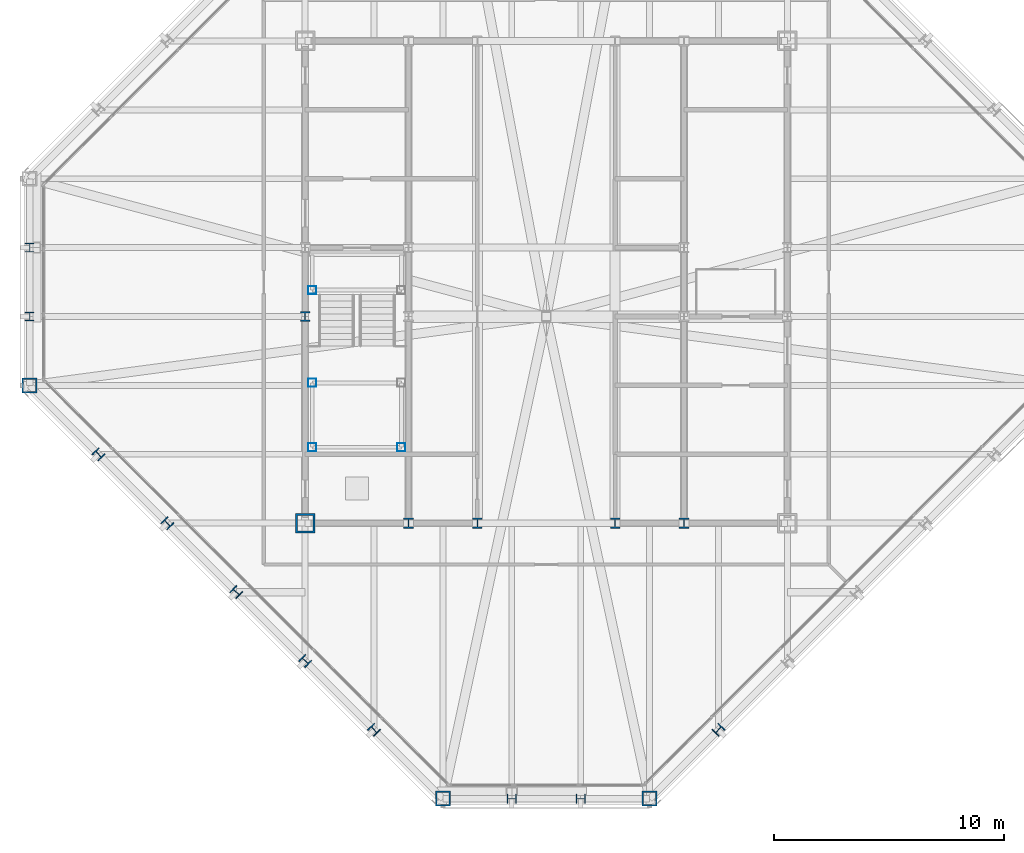
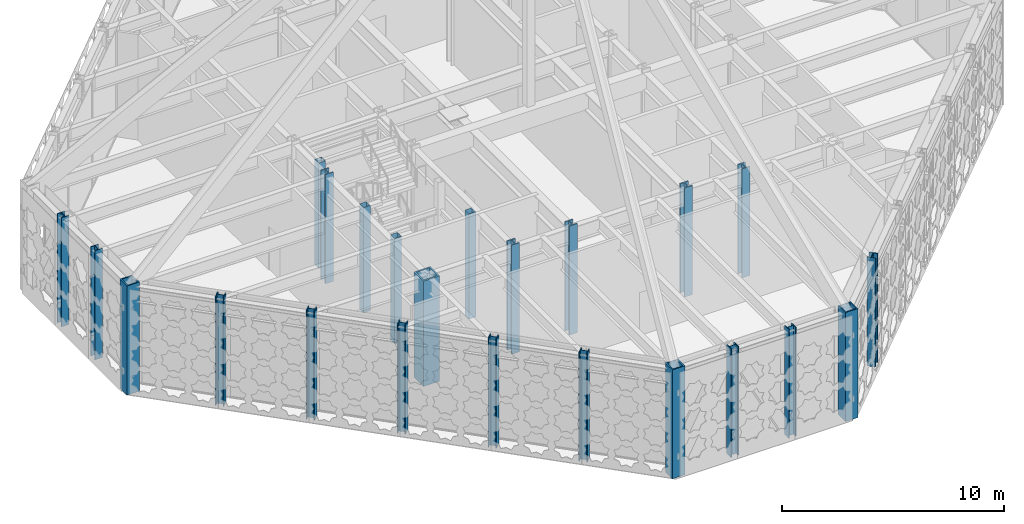
# One storey, part 1 of 30: 23 columns.
"""IFC4 building model written with IfcOpenShell, lengths in metres."""

from ifc_helpers import new_model, si_unit, direction, frame, origin, origin_2d, place, context, subcontext, project, spatial, hollow_rectangle, i_section, extrude, material, material_profile, profile_set, type_object, element, save


model = new_model("IFC4")

# Units and contexts
model_context = context("Model", 3, precision=1e-05, world=origin(), true_north=direction((0.0, 1.0)))
body_context = subcontext(model_context, "Body", "Model", "MODEL_VIEW")
ifc_project = project(units=[si_unit("LENGTHUNIT", "METRE"), si_unit("AREAUNIT", "SQUARE_METRE"), si_unit("VOLUMEUNIT", "CUBIC_METRE"), si_unit("PLANEANGLEUNIT", "RADIAN"), si_unit("MASSUNIT", "GRAM", prefix="KILO")], contexts=[model_context])

# Site, building, storey
site_placement = place(None, origin())
site = spatial("IfcSite", under=ifc_project, at=site_placement, CompositionType="ELEMENT")
building_placement = place(site_placement, origin())
building = spatial("IfcBuilding", under=site, at=building_placement, Name="Chuquiago Exchange Tower", CompositionType="ELEMENT")
storey_placement = place(building_placement, frame((0.0, 0.0, 306.0)))
storey = spatial("IfcBuildingStorey", under=building, at=storey_placement, Name="L68", CompositionType="ELEMENT", Elevation=306.0)

# Columns
ifc_material_1 = material(Name="Steel ASTM A992", Category="steel")
ifc_material_profile_1 = material_profile(ifc_material_1, i_section(OverallWidth=0.4013671875, OverallDepth=0.398681640625, WebThickness=0.02490234375, FlangeThickness=0.03955078125, at=origin_2d()), Name="W14X211")
ifc_profile_set_1 = profile_set([ifc_material_profile_1], Name="Steel ASTM A992")
column_type_1 = type_object("IfcColumnType", Name="C9 W14X211", PredefinedType="COLUMN", material=ifc_profile_set_1)
for number, where, z_axis, x_axis, name in (
    (1, (21.0, 0.0, 0.0), (0.0, 0.0, 1.0), (0.0, -1.0, 0.0), "COL-L68-21_0"),
    (2, (24.0, 0.0, 0.0), (0.0, 0.0, 1.0), (0.0, -1.0, 0.0), "COL-L68-24_0"),
    (3, (0.0, 24.0, 0.0), (0.0, 0.0, 1.0), (-1.0, 0.0, 0.0), "COL-L68-0_24"),
    (4, (0.0, 21.0, 0.0), (0.0, 0.0, 1.0), (-1.0, 0.0, 0.0), "COL-L68-0_21"),
):
    element("IfcColumn", number, at=place(storey_placement, frame(where, z_axis=z_axis, x_axis=x_axis)), inside=storey, type_object=column_type_1, Name=name, PredefinedType="COLUMN", context=body_context, shape_type="SweptSolid", body=[
        extrude(i_section(OverallWidth=0.4013671875, OverallDepth=0.398681640625, WebThickness=0.02490234375, FlangeThickness=0.03955078125, at=origin_2d()), origin(), (0.0, 0.0, 1.0), 6.0),
    ])
ifc_material_2 = material(Name="Steel ASTM A572 Grade 50", Category="steel")
ifc_material_profile_2 = material_profile(ifc_material_2, hollow_rectangle(XDim=0.85009765625, YDim=0.85009765625, WallThickness=0.0849609375, at=origin_2d()), Name="BOX850X850X85")
ifc_profile_set_2 = profile_set([ifc_material_profile_2], Name="Steel ASTM A572 Grade 50")
column_type_2 = type_object("IfcColumnType", Name="CC6 BOX850X850X85", PredefinedType="COLUMN", material=ifc_profile_set_2)
column_placement = place(storey_placement, frame((12.0, 12.0, 0.0), z_axis=(0.0, 0.0, 1.0), x_axis=(1.0, 0.0, 0.0)))
element("IfcColumn", 5, at=column_placement, inside=storey, type_object=column_type_2, Name="CCOL-L68-12_12", PredefinedType="COLUMN", context=body_context, shape_type="SweptSolid", body=[
    extrude(hollow_rectangle(XDim=0.85009765625, YDim=0.85009765625, WallThickness=0.0849609375, at=origin_2d()), origin(), (0.0, 0.0, 1.0), 5.800048828125),
])
ifc_material_3 = material(Name="Steel ASTM A992", Category="steel")
ifc_material_profile_3 = material_profile(ifc_material_3, i_section(OverallWidth=0.41650390625, OverallDepth=0.444580078125, WebThickness=0.0390625, FlangeThickness=0.062744140625, at=origin_2d()), Name="W14X342")
ifc_profile_set_3 = profile_set([ifc_material_profile_3], Name="Steel ASTM A992")
column_type_3 = type_object("IfcColumnType", Name="CC9 W14X342", PredefinedType="COLUMN", material=ifc_profile_set_3)
for number, where, z_axis, x_axis, name in (
    (6, (16.5, 12.0, 0.0), (0.0, 0.0, 1.0), (1.0, 0.0, 0.0), "CCOL-L68-16.5_12"),
    (7, (19.5, 12.0, 0.0), (0.0, 0.0, 1.0), (1.0, 0.0, 0.0), "CCOL-L68-19.5_12"),
    (8, (25.5, 12.0, 0.0), (0.0, 0.0, 1.0), (1.0, 0.0, 0.0), "CCOL-L68-25.5_12"),
    (9, (28.5, 12.0, 0.0), (0.0, 0.0, 1.0), (1.0, 0.0, 0.0), "CCOL-L68-28.5_12"),
    (10, (12.0, 21.0, 0.0), (0.0, 0.0, 1.0), (1.0, 0.0, 0.0), "CCOL-L68-12_21"),
):
    element("IfcColumn", number, at=place(storey_placement, frame(where, z_axis=z_axis, x_axis=x_axis)), inside=storey, type_object=column_type_3, Name=name, PredefinedType="COLUMN", context=body_context, shape_type="SweptSolid", body=[
        extrude(i_section(OverallWidth=0.41650390625, OverallDepth=0.444580078125, WebThickness=0.0390625, FlangeThickness=0.062744140625, at=origin_2d()), origin(), (0.0, 0.0, 1.0), 6.0),
    ])
ifc_material_4 = material(Name="Steel ASTM A992", Category="steel")
ifc_material_profile_4 = material_profile(ifc_material_4, i_section(OverallWidth=0.40380859375, OverallDepth=0.406494140625, WebThickness=0.027099609375, FlangeThickness=0.043701171875, at=origin_2d()), Name="W14X233")
ifc_profile_set_4 = profile_set([ifc_material_profile_4], Name="Steel ASTM A992")
column_type_4 = type_object("IfcColumnType", Name="CK8 W14X233", PredefinedType="COLUMN", material=ifc_profile_set_4)
for number, where, z_axis, x_axis, name in (
    (11, (30.0, 3.0, 0.0), (0.0, 0.0, 1.0), (0.707106781187, -0.707106781187, 0.0), "COL-L68-30_3"),
    (12, (3.0, 15.0, 0.0), (0.0, 0.0, 1.0), (-0.707106781187, -0.707106781187, 0.0), "COL-L68-3_15"),
    (13, (6.0, 12.0, 0.0), (0.0, 0.0, 1.0), (-0.707106781187, -0.707106781187, 0.0), "COL-L68-6_12"),
    (14, (9.0, 9.0, 0.0), (0.0, 0.0, 1.0), (-0.707106781187, -0.707106781187, 0.0), "COL-L68-9_9"),
    (15, (12.0, 6.0, 0.0), (0.0, 0.0, 1.0), (-0.707106781187, -0.707106781187, 0.0), "COL-L68-12_6"),
    (16, (15.0, 3.0, 0.0), (0.0, 0.0, 1.0), (-0.707106781187, -0.707106781187, 0.0), "COL-L68-15_3"),
):
    element("IfcColumn", number, at=place(storey_placement, frame(where, z_axis=z_axis, x_axis=x_axis)), inside=storey, type_object=column_type_4, Name=name, PredefinedType="COLUMN", context=body_context, shape_type="SweptSolid", body=[
        extrude(i_section(OverallWidth=0.40380859375, OverallDepth=0.406494140625, WebThickness=0.027099609375, FlangeThickness=0.043701171875, at=origin_2d()), origin(), (0.0, 0.0, 1.0), 6.0),
    ])
ifc_material_5 = material(Name="Steel ASTM A572 Grade 50", Category="steel")
ifc_material_profile_5 = material_profile(ifc_material_5, hollow_rectangle(XDim=0.64990234375, YDim=0.64990234375, WallThickness=0.06494140625, at=origin_2d()), Name="BOX650X650X65")
ifc_profile_set_5 = profile_set([ifc_material_profile_5], Name="Steel ASTM A572 Grade 50")
column_type_5 = type_object("IfcColumnType", Name="CN2 BOX650X650X65", PredefinedType="COLUMN", material=ifc_profile_set_5)
for number, where, z_axis, x_axis, name in (
    (17, (18.0, 0.0, 0.0), (0.0, 0.0, 1.0), (0.0, -1.0, 0.0), "COL-L68-18_0"),
    (18, (27.0, 0.0, 0.0), (0.0, 0.0, 1.0), (0.0, -1.0, 0.0), "COL-L68-27_0"),
    (19, (0.0, 18.0, 0.0), (0.0, 0.0, 1.0), (-1.0, 0.0, 0.0), "COL-L68-0_18"),
):
    element("IfcColumn", number, at=place(storey_placement, frame(where, z_axis=z_axis, x_axis=x_axis)), inside=storey, type_object=column_type_5, Name=name, PredefinedType="COLUMN", context=body_context, shape_type="SweptSolid", body=[
        extrude(hollow_rectangle(XDim=0.64990234375, YDim=0.64990234375, WallThickness=0.06494140625, at=origin_2d()), origin(), (0.0, 0.0, 1.0), 6.0),
    ])
ifc_material_6 = material(Name="Steel ASTM A500 Grade C", Category="steel")
ifc_material_profile_6 = material_profile(ifc_material_6, hollow_rectangle(XDim=0.355712890625, YDim=0.355712890625, WallThickness=0.0087890625, at=origin_2d()), Name="HSS14X14X3/8")
ifc_profile_set_6 = profile_set([ifc_material_profile_6], Name="Steel ASTM A500 Grade C")
column_type_6 = type_object("IfcColumnType", Name="PT1 HSS14X14X3/8", PredefinedType="COLUMN", material=ifc_profile_set_6)
for number, where, z_axis, x_axis, name in (
    (20, (12.31005859375, 15.31005859375, 0.0), (0.0, 0.0, 1.0), (1.0, 0.0, 0.0), "Stair ST1 L68 landing post"),
    (21, (16.18994140625, 15.31005859375, 0.0), (0.0, 0.0, 1.0), (1.0, 0.0, 0.0), "Stair ST1 L68 landing post"),
    (22, (12.31005859375, 18.110107421875, 0.0), (0.0, 0.0, 1.0), (1.0, 0.0, 0.0), "Stair ST1 L68 landing post"),
    (23, (12.31005859375, 22.14990234375, 0.0), (0.0, 0.0, 1.0), (1.0, 0.0, 0.0), "Stair ST1 L68 landing post"),
):
    element("IfcColumn", number, at=place(storey_placement, frame(where, z_axis=z_axis, x_axis=x_axis)), inside=storey, type_object=column_type_6, Name=name, PredefinedType="COLUMN", context=body_context, shape_type="SweptSolid", body=[
        extrude(hollow_rectangle(XDim=0.355712890625, YDim=0.355712890625, WallThickness=0.0087890625, at=origin_2d()), origin(), (0.0, 0.0, 1.0), 5.800048828125),
    ])

save(model, "model.ifc")
